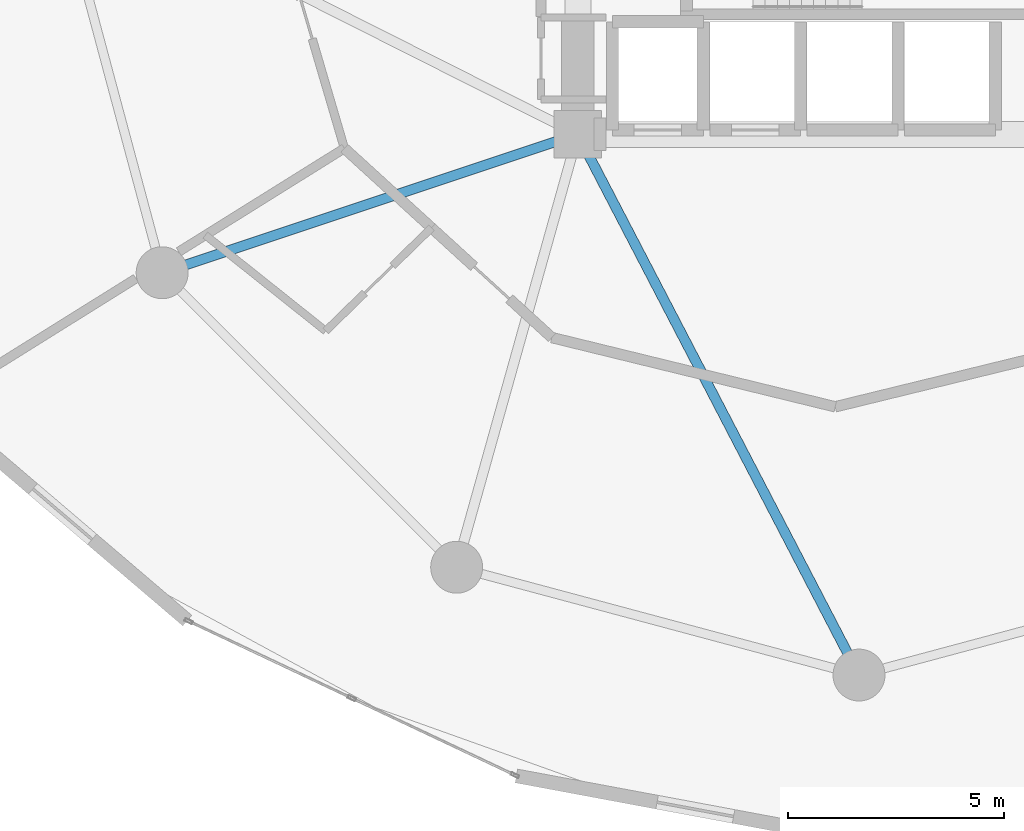
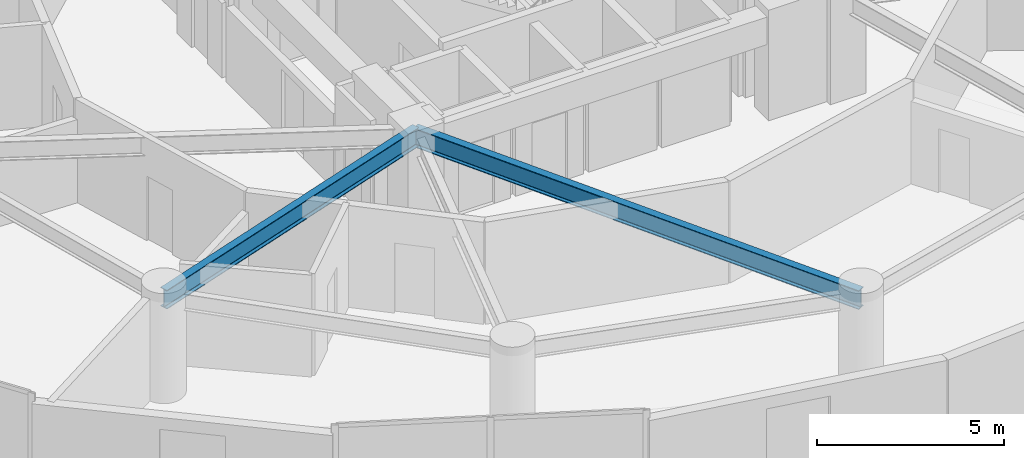
# One storey, part 5 of 26: 2 beams.
"""IFC4 building model written with IfcOpenShell, lengths in metres."""

import ifcopenshell
import ifcopenshell.guid

model = None  # the IFC model being written
_history = None  # IfcOwnerHistory: only IFC2X3 demands one
_inside = {}  # id of a spatial element -> (the spatial element, [elements in it])
_under = {}  # id of a project, library or spatial element -> (it, [spatial elements below it])
_declared = {}  # id of a project -> (the project, [libraries it declares])
_typed = {}  # id of a type object -> (the type object, [elements of that type])
_made_of = {}  # id of a material, layer set ... -> (it, [elements and type objects made of it])


def new_model(schema):
    """Start an empty IFC model of exactly this schema.

    Asked for "IFC4X3", IfcOpenShell would pick the latest addendum, in which some entities
    have other attributes; the version numbers below select the first issue.
    IFC2X3 requires an IfcOwnerHistory on every rooted entity: one is made here for all.
    """
    global model, _history
    if schema == "IFC4X3":
        model = ifcopenshell.file(schema_version=(4, 3, 0, 0))
    else:
        model = ifcopenshell.file(schema=schema)
    _inside.clear()
    _under.clear()
    _declared.clear()
    _typed.clear()
    _made_of.clear()
    _history = None
    if model.schema == "IFC2X3":
        org = make("IfcOrganization", Name="unknown")
        user = make(
            "IfcPersonAndOrganization",
            ThePerson=make("IfcPerson", FamilyName="unknown"),
            TheOrganization=org,
        )
        app = make(
            "IfcApplication",
            ApplicationDeveloper=org,
            Version="unknown",
            ApplicationFullName="unknown",
            ApplicationIdentifier="unknown",
        )
        _history = make(
            "IfcOwnerHistory",
            OwningUser=user,
            OwningApplication=app,
            ChangeAction="ADDED",
            CreationDate=0,
        )
    return model


def make(cls, **values):
    """One entity of the class cls with the attributes given. An attribute that is None is left unset."""
    return model.create_entity(
        cls, **{name: value for name, value in values.items() if value is not None}
    )


def rooted(cls, **values):
    """An entity with a GlobalId (a new one), such as an element, a storey or a relation."""
    return make(cls, GlobalId=ifcopenshell.guid.new(), OwnerHistory=_history, **values)


def si_unit(unit_type, name, prefix=None):
    """IfcSIUnit, for example si_unit("LENGTHUNIT", "METRE", prefix="MILLI")."""
    return make("IfcSIUnit", UnitType=unit_type, Prefix=prefix, Name=name)


def assignment(units):
    """IfcUnitAssignment: the units of a project."""
    return None if units is None else make("IfcUnitAssignment", Units=units)


def point(xyz):
    """IfcCartesianPoint."""
    return None if xyz is None else make("IfcCartesianPoint", Coordinates=xyz)


def direction(xyz):
    """IfcDirection."""
    return None if xyz is None else make("IfcDirection", DirectionRatios=xyz)


def frame(location, z_axis=None, x_axis=None):
    """IfcAxis2Placement3D, a coordinate frame: its origin and axes. An axis left out is left unset."""
    return make(
        "IfcAxis2Placement3D",
        Location=point(location),
        Axis=direction(z_axis),
        RefDirection=direction(x_axis),
    )


def frame_2d(location, x_axis=None):
    """IfcAxis2Placement2D, a coordinate frame in the plane: its origin and x axis."""
    return make(
        "IfcAxis2Placement2D", Location=point(location), RefDirection=direction(x_axis)
    )


def origin():
    """The frame at (0, 0, 0) with its axes left unset."""
    return frame((0.0, 0.0, 0.0))


def origin_2d():
    """The frame at (0, 0) in the plane with its x axis left unset."""
    return frame_2d((0.0, 0.0))


def place(relative_to, where):
    """IfcLocalPlacement: puts the frame where relative to a parent placement (None: the world)."""
    return make(
        "IfcLocalPlacement", PlacementRelTo=relative_to, RelativePlacement=where
    )


def context(
    kind, dimensions, precision=None, world=None, true_north=None, identifier=None
):
    """IfcGeometricRepresentationContext, for example the 3D "Model" context."""
    return make(
        "IfcGeometricRepresentationContext",
        ContextIdentifier=identifier,
        ContextType=kind,
        CoordinateSpaceDimension=dimensions,
        Precision=precision,
        WorldCoordinateSystem=world,
        TrueNorth=true_north,
    )


def subcontext(parent, identifier, kind, view, scale=None):
    """IfcGeometricRepresentationSubContext, for example "Body" below "Model"."""
    return make(
        "IfcGeometricRepresentationSubContext",
        ContextIdentifier=identifier,
        ContextType=kind,
        ParentContext=parent,
        TargetScale=scale,
        TargetView=view,
    )


def project(units=None, contexts=None):
    """IfcProject with its units and contexts."""
    return rooted(
        "IfcProject",
        Name="project",
        RepresentationContexts=contexts,
        UnitsInContext=assignment(units),
    )


def spatial(cls, under=None, at=None, **own):
    """A site, building, storey or space (cls), placed at a placement, below another one or the project."""
    s = rooted(cls, ObjectPlacement=at, **own)
    if under is not None:
        _under.setdefault(under.id(), (under, []))[1].append(s)
    return s


def profile(cls, at=None, kind="AREA", **sizes):
    """A parametric profile (cls). Its sizes go by their IFC names, for example OverallWidth=200.0."""
    return make(cls, ProfileType=kind, Position=at, **sizes)


def i_section(**sizes):
    """IfcIShapeProfileDef."""
    return profile("IfcIShapeProfileDef", **sizes)


def extrude(swept, where, along, depth):
    """IfcExtrudedAreaSolid: the profile swept, set in the frame where, extruded along a direction by depth."""
    return make(
        "IfcExtrudedAreaSolid",
        SweptArea=swept,
        Position=where,
        ExtrudedDirection=direction(along),
        Depth=depth,
    )


def shape(context_of_items, identifier, shape_type, items):
    """IfcShapeRepresentation: the items that make up one representation, for example the "Body"."""
    return make(
        "IfcShapeRepresentation",
        ContextOfItems=context_of_items,
        RepresentationIdentifier=identifier,
        RepresentationType=shape_type,
        Items=items,
    )


def material(Name=None, Category=None):
    """IfcMaterial."""
    return make("IfcMaterial", Name=Name, Category=Category)


def material_profile(
    of_material, cross_section, Name=None, Category=None, Priority=None
):
    """IfcMaterialProfile: a cross section and its material."""
    return make(
        "IfcMaterialProfile",
        Name=Name,
        Material=of_material,
        Profile=cross_section,
        Priority=Priority,
        Category=Category,
    )


def profile_set(profiles, Name=None, composite=None):
    """IfcMaterialProfileSet."""
    return make(
        "IfcMaterialProfileSet",
        Name=Name,
        MaterialProfiles=profiles,
        CompositeProfile=composite,
    )


def made_of(thing, what):
    """Note that an element or type object is made of a material, layer set ...; save() writes the relation."""
    if what is not None:
        _made_of.setdefault(what.id(), (what, []))[1].append(thing)
    return thing


def type_object(cls, material=None, **own):
    """A type object (cls), such as IfcWallType, which elements share."""
    return made_of(rooted(cls, **own), material)


def element(
    cls,
    number,
    at=None,
    inside=None,
    cuts=None,
    type_object=None,
    material=None,
    context=None,
    identifier="Body",
    shape_type=None,
    held_by="IfcProductDefinitionShape",
    body=None,
    shapes=None,
    **own,
):
    """One element of the class cls, such as IfcWall. Its Tag is "e" and its number.

    at: its placement. inside: the storey or other place that contains it. cuts: it is an
    opening in that element (IfcRelVoidsElement). A single representation is given by context,
    identifier, shape_type and body (its items); several are given by shapes. held_by: the class
    of the entity that holds the representations. save() writes the other relations.
    """
    e = rooted(cls, Tag="e%d" % number, ObjectPlacement=at, **own)
    if body is not None:
        shapes = [shape(context, identifier, shape_type, body)]
    if shapes is not None:
        e.Representation = make(held_by, Representations=shapes)
    if inside is not None:
        _inside.setdefault(inside.id(), (inside, []))[1].append(e)
    if cuts is not None:
        rooted(
            "IfcRelVoidsElement", RelatingBuildingElement=cuts, RelatedOpeningElement=e
        )
    if type_object is not None:
        _typed.setdefault(type_object.id(), (type_object, []))[1].append(e)
    return made_of(e, material)


def aggregate(whole, parts):
    """IfcRelAggregates: a whole, such as a stair, and the parts it consists of."""
    return rooted("IfcRelAggregates", RelatingObject=whole, RelatedObjects=parts)


def save(model, path):
    """Write the relations noted so far, then the file.

    IfcRelAggregates (storeys below a building ...), IfcRelContainedInSpatialStructure (elements
    in a storey), IfcRelDefinesByType, IfcRelAssociatesMaterial and IfcRelDeclares: one each for
    every whole, place, type object, material and project.
    """
    for whole, parts in _under.values():
        aggregate(whole, parts)
    for where, things in _inside.values():
        rooted(
            "IfcRelContainedInSpatialStructure",
            RelatedElements=things,
            RelatingStructure=where,
        )
    for kind, things in _typed.values():
        rooted("IfcRelDefinesByType", RelatedObjects=things, RelatingType=kind)
    for what, things in _made_of.values():
        rooted("IfcRelAssociatesMaterial", RelatedObjects=things, RelatingMaterial=what)
    for by, libraries in _declared.values():
        rooted("IfcRelDeclares", RelatingContext=by, RelatedDefinitions=libraries)
    model.write(path)


model = new_model("IFC4")

# Units and contexts
model_context = context("Model", 3, precision=1e-05, world=origin(), true_north=direction((0.0, 1.0)))
body_context = subcontext(model_context, "Body", "Model", "MODEL_VIEW")
ifc_project = project(units=[si_unit("LENGTHUNIT", "METRE"), si_unit("AREAUNIT", "SQUARE_METRE"), si_unit("VOLUMEUNIT", "CUBIC_METRE"), si_unit("PLANEANGLEUNIT", "RADIAN"), si_unit("MASSUNIT", "GRAM", prefix="KILO")], contexts=[model_context])

# Site, building, storey
site_placement = place(None, origin())
site = spatial("IfcSite", under=ifc_project, at=site_placement, CompositionType="ELEMENT")
building_placement = place(site_placement, origin())
building = spatial("IfcBuilding", under=site, at=building_placement, Name="Solvirekh Grand Hotel", CompositionType="ELEMENT")
storey_placement = place(building_placement, frame((0.0, 0.0, 68.0)))
storey = spatial("IfcBuildingStorey", under=building, at=storey_placement, Name="L16", CompositionType="ELEMENT", Elevation=68.0)

# Beams
ifc_material = material(Name="Steel S355", Category="steel")
ifc_material_profile = material_profile(ifc_material, i_section(OverallWidth=0.22998046875, OverallDepth=0.615966796875, WebThickness=0.013916015625, FlangeThickness=0.02392578125, FilletRadius=0.014892578125, at=origin_2d()), Name="W610X174")
ifc_profile_set = profile_set([ifc_material_profile], Name="Steel S355")
beam_type = type_object("IfcBeamType", Name="Beam_Primary_W610H", PredefinedType="BEAM", material=ifc_profile_set)
beam_1_placement = place(storey_placement, frame((-6.5, -6.10009765625, 3.031982421875), z_axis=(-0.948762825819, -0.315989082635, 0.0), x_axis=(0.315989082635, -0.948762825819, 0.0)))
element("IfcBeam", 1, at=beam_1_placement, inside=storey, type_object=beam_type, Name="L16 radial floor beam R08", PredefinedType="BEAM", context=body_context, shape_type="SweptSolid", body=[
    extrude(i_section(OverallWidth=0.22998046875, OverallDepth=0.615966796875, WebThickness=0.013916015625, FlangeThickness=0.02392578125, FilletRadius=0.014892578125, at=origin_2d()), origin(), (0.0, 0.0, 1.0), 10.126708984375),
])
beam_2_placement = place(storey_placement, frame((-6.5, -6.10009765625, 3.031982421875), z_axis=(0.461352736642, -0.887216801235, 0.0), x_axis=(0.887216801235, 0.461352736642, 0.0)))
element("IfcBeam", 2, at=beam_2_placement, inside=storey, type_object=beam_type, Name="L16 radial floor beam R10", PredefinedType="BEAM", context=body_context, shape_type="SweptSolid", body=[
    extrude(i_section(OverallWidth=0.22998046875, OverallDepth=0.615966796875, WebThickness=0.013916015625, FlangeThickness=0.02392578125, FilletRadius=0.014892578125, at=origin_2d()), origin(), (0.0, 0.0, 1.0), 14.089111328125),
])

save(model, "model.ifc")
